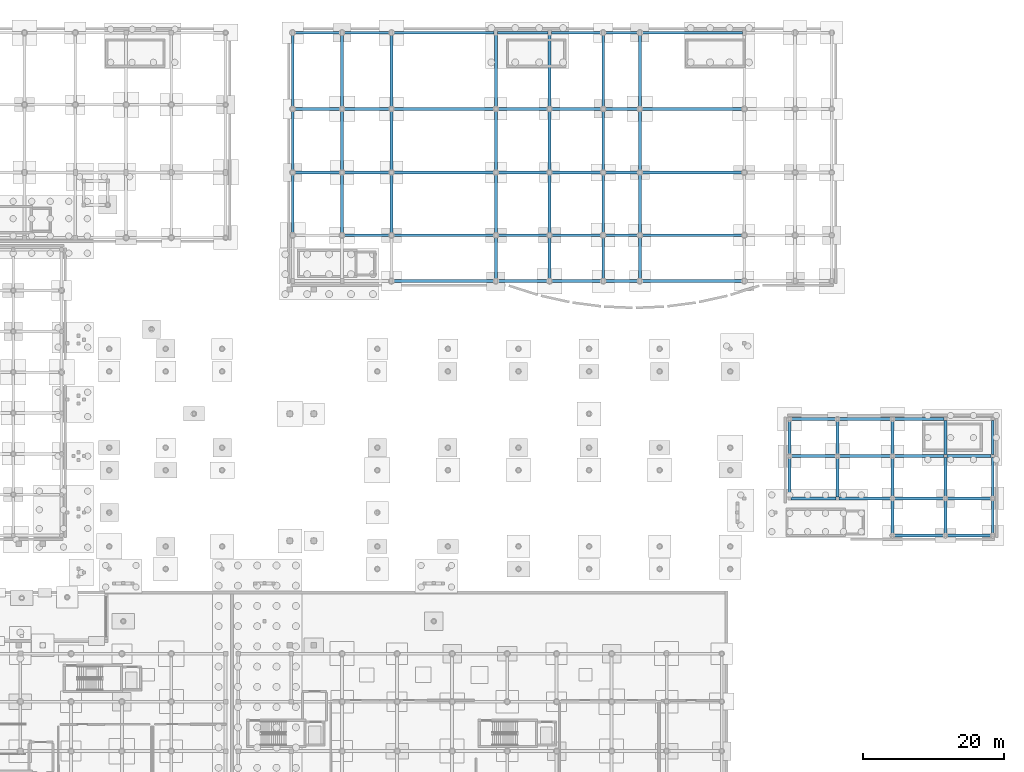
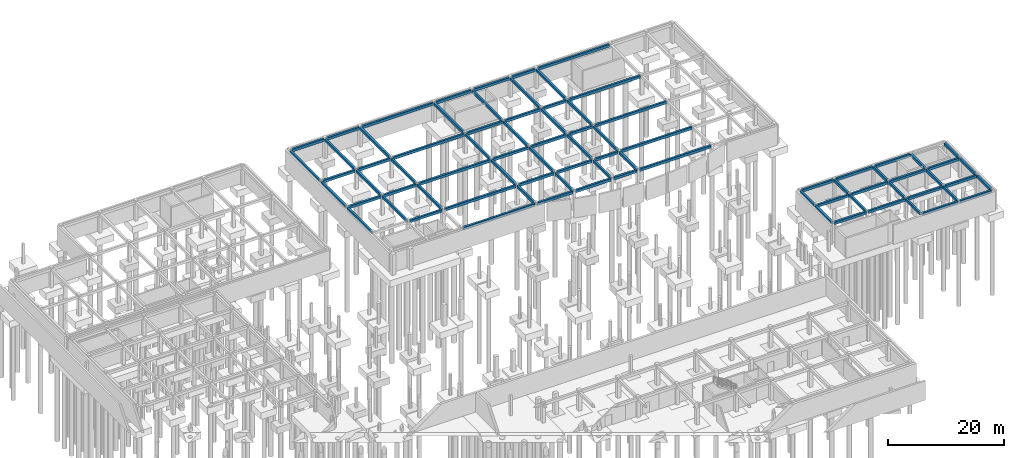
# One storey, part 13 of 22: 83 beams.
"""IFC4 building model written with IfcOpenShell, lengths in metres."""

from ifc_helpers import new_model, si_unit, direction, frame, origin, origin_2d, place, context, subcontext, project, spatial, rectangle, extrude, material, material_profile, profile_set, type_object, element, save


model = new_model("IFC4")

# Units and contexts
model_context = context("Model", 3, precision=1e-05, world=origin(), true_north=direction((0.0, 1.0)))
body_context = subcontext(model_context, "Body", "Model", "MODEL_VIEW")
ifc_project = project(units=[si_unit("LENGTHUNIT", "METRE"), si_unit("AREAUNIT", "SQUARE_METRE"), si_unit("VOLUMEUNIT", "CUBIC_METRE"), si_unit("PLANEANGLEUNIT", "RADIAN"), si_unit("MASSUNIT", "GRAM", prefix="KILO")], contexts=[model_context])

# Site, building, storey
site_placement = place(None, origin())
site = spatial("IfcSite", under=ifc_project, at=site_placement, CompositionType="ELEMENT")
building_placement = place(site_placement, origin())
building = spatial("IfcBuilding", under=site, at=building_placement, Name="Valcora Specialist Clinic", CompositionType="ELEMENT")
storey_placement = place(building_placement, frame((0.0, 0.0, -4.419921875)))
storey = spatial("IfcBuildingStorey", under=building, at=storey_placement, Name="B1", CompositionType="ELEMENT", Elevation=-4.419921875)

# Beams
ifc_material = material(Name="Concrete C35/45", Category="concrete")
ifc_material_profile = material_profile(ifc_material, rectangle(XDim=0.39990234375, YDim=0.550048828125, at=origin_2d()), Name="RC-TB-400X550")
ifc_profile_set = profile_set([ifc_material_profile], Name="Concrete C35/45")
beam_type = type_object("IfcBeamType", Name="TY-BM-TB400X550", PredefinedType="BEAM", material=ifc_profile_set)
beam_1_placement = place(storey_placement, frame((147.22509765625, 38.75, 3.885009765625), z_axis=(1.0, 0.0, 0.0), x_axis=(0.0, 1.0, 0.0)))
element("IfcBeam", 1, at=beam_1_placement, inside=storey, type_object=beam_type, Name="Beam BM-B1-0372", PredefinedType="BEAM", context=body_context, shape_type="SweptSolid", body=[
    extrude(rectangle(XDim=0.39990234375, YDim=0.550048828125, at=origin_2d()), origin(), (0.0, 0.0, 1.0), 7.0498046875),
])
beam_2_placement = place(storey_placement, frame((154.72509765625, 38.75, 3.885009765625), z_axis=(1.0, 0.0, 0.0), x_axis=(0.0, 1.0, 0.0)))
element("IfcBeam", 2, at=beam_2_placement, inside=storey, type_object=beam_type, Name="Beam BM-B1-0373", PredefinedType="BEAM", context=body_context, shape_type="SweptSolid", body=[
    extrude(rectangle(XDim=0.39990234375, YDim=0.550048828125, at=origin_2d()), origin(), (0.0, 0.0, 1.0), 6.25),
])
beam_3_placement = place(storey_placement, frame((132.625, 44.0, 3.885009765625), z_axis=(1.0, 0.0, 0.0), x_axis=(0.0, 1.0, 0.0)))
element("IfcBeam", 3, at=beam_3_placement, inside=storey, type_object=beam_type, Name="Beam BM-B1-0374", PredefinedType="BEAM", context=body_context, shape_type="SweptSolid", body=[
    extrude(rectangle(XDim=0.39990234375, YDim=0.550048828125, at=origin_2d()), origin(), (0.0, 0.0, 1.0), 6.35009765625),
])
beam_4_placement = place(storey_placement, frame((139.425048828125, 44.0, 3.885009765625), z_axis=(1.0, 0.0, 0.0), x_axis=(0.0, 1.0, 0.0)))
element("IfcBeam", 4, at=beam_4_placement, inside=storey, type_object=beam_type, Name="Beam BM-B1-0375", PredefinedType="BEAM", context=body_context, shape_type="SweptSolid", body=[
    extrude(rectangle(XDim=0.39990234375, YDim=0.550048828125, at=origin_2d()), origin(), (0.0, 0.0, 1.0), 7.349853515625),
])
beam_5_placement = place(storey_placement, frame((147.22509765625, 44.0, 3.885009765625), z_axis=(1.0, 0.0, 0.0), x_axis=(0.0, 1.0, 0.0)))
element("IfcBeam", 5, at=beam_5_placement, inside=storey, type_object=beam_type, Name="Beam BM-B1-0376", PredefinedType="BEAM", context=body_context, shape_type="SweptSolid", body=[
    extrude(rectangle(XDim=0.39990234375, YDim=0.550048828125, at=origin_2d()), origin(), (0.0, 0.0, 1.0), 7.0498046875),
])
beam_6_placement = place(storey_placement, frame((154.72509765625, 44.0, 3.885009765625), z_axis=(1.0, 0.0, 0.0), x_axis=(0.0, 1.0, 0.0)))
element("IfcBeam", 6, at=beam_6_placement, inside=storey, type_object=beam_type, Name="Beam BM-B1-0377", PredefinedType="BEAM", context=body_context, shape_type="SweptSolid", body=[
    extrude(rectangle(XDim=0.39990234375, YDim=0.550048828125, at=origin_2d()), origin(), (0.0, 0.0, 1.0), 6.25),
])
beam_7_placement = place(storey_placement, frame((132.625, 50.0, 3.885009765625), z_axis=(1.0, 0.0, 0.0), x_axis=(0.0, 1.0, 0.0)))
element("IfcBeam", 7, at=beam_7_placement, inside=storey, type_object=beam_type, Name="Beam BM-B1-0378", PredefinedType="BEAM", context=body_context, shape_type="SweptSolid", body=[
    extrude(rectangle(XDim=0.39990234375, YDim=0.550048828125, at=origin_2d()), origin(), (0.0, 0.0, 1.0), 6.35009765625),
])
beam_8_placement = place(storey_placement, frame((139.425048828125, 50.0, 3.885009765625), z_axis=(1.0, 0.0, 0.0), x_axis=(0.0, 1.0, 0.0)))
element("IfcBeam", 8, at=beam_8_placement, inside=storey, type_object=beam_type, Name="Beam BM-B1-0379", PredefinedType="BEAM", context=body_context, shape_type="SweptSolid", body=[
    extrude(rectangle(XDim=0.39990234375, YDim=0.550048828125, at=origin_2d()), origin(), (0.0, 0.0, 1.0), 7.349853515625),
])
beam_9_placement = place(storey_placement, frame((147.22509765625, 50.0, 3.885009765625), z_axis=(1.0, 0.0, 0.0), x_axis=(0.0, 1.0, 0.0)))
element("IfcBeam", 9, at=beam_9_placement, inside=storey, type_object=beam_type, Name="Beam BM-B1-0380", PredefinedType="BEAM", context=body_context, shape_type="SweptSolid", body=[
    extrude(rectangle(XDim=0.39990234375, YDim=0.550048828125, at=origin_2d()), origin(), (0.0, 0.0, 1.0), 7.0498046875),
])
beam_10_placement = place(storey_placement, frame((154.72509765625, 50.0, 3.885009765625), z_axis=(1.0, 0.0, 0.0), x_axis=(0.0, 1.0, 0.0)))
element("IfcBeam", 10, at=beam_10_placement, inside=storey, type_object=beam_type, Name="Beam BM-B1-0381", PredefinedType="BEAM", context=body_context, shape_type="SweptSolid", body=[
    extrude(rectangle(XDim=0.39990234375, YDim=0.550048828125, at=origin_2d()), origin(), (0.0, 0.0, 1.0), 6.25),
])
beam_11_placement = place(storey_placement, frame((132.625, 55.25, 3.885009765625), z_axis=(1.0, 0.0, 0.0), x_axis=(0.0, 1.0, 0.0)))
element("IfcBeam", 11, at=beam_11_placement, inside=storey, type_object=beam_type, Name="Beam BM-B1-0382", PredefinedType="BEAM", context=body_context, shape_type="SweptSolid", body=[
    extrude(rectangle(XDim=0.39990234375, YDim=0.550048828125, at=origin_2d()), origin(), (0.0, 0.0, 1.0), 6.35009765625),
])
beam_12_placement = place(storey_placement, frame((139.425048828125, 55.25, 3.885009765625), z_axis=(1.0, 0.0, 0.0), x_axis=(0.0, 1.0, 0.0)))
element("IfcBeam", 12, at=beam_12_placement, inside=storey, type_object=beam_type, Name="Beam BM-B1-0383", PredefinedType="BEAM", context=body_context, shape_type="SweptSolid", body=[
    extrude(rectangle(XDim=0.39990234375, YDim=0.550048828125, at=origin_2d()), origin(), (0.0, 0.0, 1.0), 7.349853515625),
])
beam_13_placement = place(storey_placement, frame((147.22509765625, 55.25, 3.885009765625), z_axis=(1.0, 0.0, 0.0), x_axis=(0.0, 1.0, 0.0)))
element("IfcBeam", 13, at=beam_13_placement, inside=storey, type_object=beam_type, Name="Beam BM-B1-0384", PredefinedType="BEAM", context=body_context, shape_type="SweptSolid", body=[
    extrude(rectangle(XDim=0.39990234375, YDim=0.550048828125, at=origin_2d()), origin(), (0.0, 0.0, 1.0), 7.0498046875),
])
beam_14_placement = place(storey_placement, frame((132.39990234375, 44.22509765625, 3.885009765625), z_axis=(0.0, 1.0, 0.0), x_axis=(-1.0, 0.0, 0.0)))
element("IfcBeam", 14, at=beam_14_placement, inside=storey, type_object=beam_type, Name="Beam BM-B1-0386", PredefinedType="BEAM", context=body_context, shape_type="SweptSolid", body=[
    extrude(rectangle(XDim=0.39990234375, YDim=0.550048828125, at=origin_2d()), origin(), (0.0, 0.0, 1.0), 5.5498046875),
])
beam_15_placement = place(storey_placement, frame((132.39990234375, 50.22509765625, 3.885009765625), z_axis=(0.0, 1.0, 0.0), x_axis=(-1.0, 0.0, 0.0)))
element("IfcBeam", 15, at=beam_15_placement, inside=storey, type_object=beam_type, Name="Beam BM-B1-0387", PredefinedType="BEAM", context=body_context, shape_type="SweptSolid", body=[
    extrude(rectangle(XDim=0.39990234375, YDim=0.550048828125, at=origin_2d()), origin(), (0.0, 0.0, 1.0), 4.7998046875),
])
beam_16_placement = place(storey_placement, frame((139.199951171875, 44.22509765625, 3.885009765625), z_axis=(0.0, 1.0, 0.0), x_axis=(-1.0, 0.0, 0.0)))
element("IfcBeam", 16, at=beam_16_placement, inside=storey, type_object=beam_type, Name="Beam BM-B1-0388", PredefinedType="BEAM", context=body_context, shape_type="SweptSolid", body=[
    extrude(rectangle(XDim=0.39990234375, YDim=0.550048828125, at=origin_2d()), origin(), (0.0, 0.0, 1.0), 5.5498046875),
])
for number, where, z_axis, x_axis, name in (
    (17, (139.199951171875, 50.22509765625, 3.885009765625), (0.0, 1.0, 0.0), (-1.0, 0.0, 0.0), "Beam BM-B1-0389"),
    (18, (147.0, 38.97509765625, 3.885009765625), (0.0, 1.0, 0.0), (-1.0, 0.0, 0.0), "Beam BM-B1-0390"),
):
    element("IfcBeam", number, at=place(storey_placement, frame(where, z_axis=z_axis, x_axis=x_axis)), inside=storey, type_object=beam_type, Name=name, PredefinedType="BEAM", context=body_context, shape_type="SweptSolid", body=[
        extrude(rectangle(XDim=0.39990234375, YDim=0.550048828125, at=origin_2d()), origin(), (0.0, 0.0, 1.0), 4.7998046875),
    ])
beam_17_placement = place(storey_placement, frame((147.0, 44.22509765625, 3.885009765625), z_axis=(0.0, 1.0, 0.0), x_axis=(-1.0, 0.0, 0.0)))
element("IfcBeam", 19, at=beam_17_placement, inside=storey, type_object=beam_type, Name="Beam BM-B1-0391", PredefinedType="BEAM", context=body_context, shape_type="SweptSolid", body=[
    extrude(rectangle(XDim=0.39990234375, YDim=0.550048828125, at=origin_2d()), origin(), (0.0, 0.0, 1.0), 5.5498046875),
])
for number, where, z_axis, x_axis, name in (
    (20, (147.0, 50.22509765625, 3.885009765625), (0.0, 1.0, 0.0), (-1.0, 0.0, 0.0), "Beam BM-B1-0392"),
    (21, (154.5, 38.97509765625, 3.885009765625), (0.0, 1.0, 0.0), (-1.0, 0.0, 0.0), "Beam BM-B1-0393"),
):
    element("IfcBeam", number, at=place(storey_placement, frame(where, z_axis=z_axis, x_axis=x_axis)), inside=storey, type_object=beam_type, Name=name, PredefinedType="BEAM", context=body_context, shape_type="SweptSolid", body=[
        extrude(rectangle(XDim=0.39990234375, YDim=0.550048828125, at=origin_2d()), origin(), (0.0, 0.0, 1.0), 4.7998046875),
    ])
beam_18_placement = place(storey_placement, frame((154.5, 44.22509765625, 3.885009765625), z_axis=(0.0, 1.0, 0.0), x_axis=(-1.0, 0.0, 0.0)))
element("IfcBeam", 22, at=beam_18_placement, inside=storey, type_object=beam_type, Name="Beam BM-B1-0394", PredefinedType="BEAM", context=body_context, shape_type="SweptSolid", body=[
    extrude(rectangle(XDim=0.39990234375, YDim=0.550048828125, at=origin_2d()), origin(), (0.0, 0.0, 1.0), 5.5498046875),
])
for number, where, z_axis, x_axis, name in (
    (23, (154.5, 50.22509765625, 3.885009765625), (0.0, 1.0, 0.0), (-1.0, 0.0, 0.0), "Beam BM-B1-0395"),
    (24, (161.199951171875, 38.97509765625, 3.885009765625), (0.0, 1.0, 0.0), (-1.0, 0.0, 0.0), "Beam BM-B1-0396"),
):
    element("IfcBeam", number, at=place(storey_placement, frame(where, z_axis=z_axis, x_axis=x_axis)), inside=storey, type_object=beam_type, Name=name, PredefinedType="BEAM", context=body_context, shape_type="SweptSolid", body=[
        extrude(rectangle(XDim=0.39990234375, YDim=0.550048828125, at=origin_2d()), origin(), (0.0, 0.0, 1.0), 4.7998046875),
    ])
beam_19_placement = place(storey_placement, frame((161.199951171875, 44.22509765625, 3.885009765625), z_axis=(0.0, 1.0, 0.0), x_axis=(-1.0, 0.0, 0.0)))
element("IfcBeam", 25, at=beam_19_placement, inside=storey, type_object=beam_type, Name="Beam BM-B1-0397", PredefinedType="BEAM", context=body_context, shape_type="SweptSolid", body=[
    extrude(rectangle(XDim=0.39990234375, YDim=0.550048828125, at=origin_2d()), origin(), (0.0, 0.0, 1.0), 5.5498046875),
])
beam_20_placement = place(storey_placement, frame((161.199951171875, 50.22509765625, 3.885009765625), z_axis=(0.0, 1.0, 0.0), x_axis=(-1.0, 0.0, 0.0)))
element("IfcBeam", 26, at=beam_20_placement, inside=storey, type_object=beam_type, Name="Beam BM-B1-0398", PredefinedType="BEAM", context=body_context, shape_type="SweptSolid", body=[
    extrude(rectangle(XDim=0.39990234375, YDim=0.550048828125, at=origin_2d()), origin(), (0.0, 0.0, 1.0), 4.7998046875),
])
beam_21_placement = place(storey_placement, frame((76.25, 74.800048828125, 3.844970703125), z_axis=(1.0, 0.0, 0.0), x_axis=(0.0, 1.0, 0.0)))
element("IfcBeam", 27, at=beam_21_placement, inside=storey, type_object=beam_type, Name="Beam BM-B1-0448", PredefinedType="BEAM", context=body_context, shape_type="SweptSolid", body=[
    extrude(rectangle(XDim=0.39990234375, YDim=0.550048828125, at=origin_2d()), origin(), (0.0, 0.0, 1.0), 14.300048828125),
])
beam_22_placement = place(storey_placement, frame((91.050048828125, 74.800048828125, 3.844970703125), z_axis=(1.0, 0.0, 0.0), x_axis=(0.0, 1.0, 0.0)))
element("IfcBeam", 28, at=beam_22_placement, inside=storey, type_object=beam_type, Name="Beam BM-B1-0449", PredefinedType="BEAM", context=body_context, shape_type="SweptSolid", body=[
    extrude(rectangle(XDim=0.39990234375, YDim=0.550048828125, at=origin_2d()), origin(), (0.0, 0.0, 1.0), 7.099853515625),
])
beam_23_placement = place(storey_placement, frame((98.64990234375, 74.800048828125, 3.844970703125), z_axis=(1.0, 0.0, 0.0), x_axis=(0.0, 1.0, 0.0)))
element("IfcBeam", 29, at=beam_23_placement, inside=storey, type_object=beam_type, Name="Beam BM-B1-0450", PredefinedType="BEAM", context=body_context, shape_type="SweptSolid", body=[
    extrude(rectangle(XDim=0.39990234375, YDim=0.550048828125, at=origin_2d()), origin(), (0.0, 0.0, 1.0), 7.10009765625),
])
beam_24_placement = place(storey_placement, frame((106.25, 74.800048828125, 3.844970703125), z_axis=(1.0, 0.0, 0.0), x_axis=(0.0, 1.0, 0.0)))
element("IfcBeam", 30, at=beam_24_placement, inside=storey, type_object=beam_type, Name="Beam BM-B1-0451", PredefinedType="BEAM", context=body_context, shape_type="SweptSolid", body=[
    extrude(rectangle(XDim=0.39990234375, YDim=0.550048828125, at=origin_2d()), origin(), (0.0, 0.0, 1.0), 4.699951171875),
])
beam_25_placement = place(storey_placement, frame((111.449951171875, 74.800048828125, 3.844970703125), z_axis=(1.0, 0.0, 0.0), x_axis=(0.0, 1.0, 0.0)))
element("IfcBeam", 31, at=beam_25_placement, inside=storey, type_object=beam_type, Name="Beam BM-B1-0452", PredefinedType="BEAM", context=body_context, shape_type="SweptSolid", body=[
    extrude(rectangle(XDim=0.39990234375, YDim=0.550048828125, at=origin_2d()), origin(), (0.0, 0.0, 1.0), 14.300048828125),
])
beam_26_placement = place(storey_placement, frame((69.300048828125, 81.300048828125, 3.844970703125), z_axis=(1.0, 0.0, 0.0), x_axis=(0.0, 1.0, 0.0)))
element("IfcBeam", 32, at=beam_26_placement, inside=storey, type_object=beam_type, Name="Beam BM-B1-0456", PredefinedType="BEAM", context=body_context, shape_type="SweptSolid", body=[
    extrude(rectangle(XDim=0.39990234375, YDim=0.550048828125, at=origin_2d()), origin(), (0.0, 0.0, 1.0), 6.39990234375),
])
beam_27_placement = place(storey_placement, frame((76.300048828125, 81.300048828125, 3.844970703125), z_axis=(1.0, 0.0, 0.0), x_axis=(0.0, 1.0, 0.0)))
element("IfcBeam", 33, at=beam_27_placement, inside=storey, type_object=beam_type, Name="Beam BM-B1-0457", PredefinedType="BEAM", context=body_context, shape_type="SweptSolid", body=[
    extrude(rectangle(XDim=0.39990234375, YDim=0.550048828125, at=origin_2d()), origin(), (0.0, 0.0, 1.0), 14.199951171875),
])
for number, where, z_axis, x_axis, name in (
    (34, (91.10009765625, 81.300048828125, 3.844970703125), (1.0, 0.0, 0.0), (0.0, 1.0, 0.0), "Beam BM-B1-0458"),
    (35, (98.699951171875, 81.300048828125, 3.844970703125), (1.0, 0.0, 0.0), (0.0, 1.0, 0.0), "Beam BM-B1-0459"),
):
    element("IfcBeam", number, at=place(storey_placement, frame(where, z_axis=z_axis, x_axis=x_axis)), inside=storey, type_object=beam_type, Name=name, PredefinedType="BEAM", context=body_context, shape_type="SweptSolid", body=[
        extrude(rectangle(XDim=0.39990234375, YDim=0.550048828125, at=origin_2d()), origin(), (0.0, 0.0, 1.0), 7.0),
    ])
beam_28_placement = place(storey_placement, frame((106.300048828125, 81.300048828125, 3.844970703125), z_axis=(1.0, 0.0, 0.0), x_axis=(0.0, 1.0, 0.0)))
element("IfcBeam", 36, at=beam_28_placement, inside=storey, type_object=beam_type, Name="Beam BM-B1-0460", PredefinedType="BEAM", context=body_context, shape_type="SweptSolid", body=[
    extrude(rectangle(XDim=0.39990234375, YDim=0.550048828125, at=origin_2d()), origin(), (0.0, 0.0, 1.0), 4.599853515625),
])
beam_29_placement = place(storey_placement, frame((111.5, 81.300048828125, 3.844970703125), z_axis=(1.0, 0.0, 0.0), x_axis=(0.0, 1.0, 0.0)))
element("IfcBeam", 37, at=beam_29_placement, inside=storey, type_object=beam_type, Name="Beam BM-B1-0461", PredefinedType="BEAM", context=body_context, shape_type="SweptSolid", body=[
    extrude(rectangle(XDim=0.39990234375, YDim=0.550048828125, at=origin_2d()), origin(), (0.0, 0.0, 1.0), 14.199951171875),
])
for number, where, z_axis, x_axis, name in (
    (38, (62.300048828125, 90.199951171875, 3.844970703125), (1.0, 0.0, 0.0), (0.0, 1.0, 0.0), "Beam BM-B1-0464"),
    (39, (69.300048828125, 90.199951171875, 3.844970703125), (1.0, 0.0, 0.0), (0.0, 1.0, 0.0), "Beam BM-B1-0465"),
):
    element("IfcBeam", number, at=place(storey_placement, frame(where, z_axis=z_axis, x_axis=x_axis)), inside=storey, type_object=beam_type, Name=name, PredefinedType="BEAM", context=body_context, shape_type="SweptSolid", body=[
        extrude(rectangle(XDim=0.39990234375, YDim=0.550048828125, at=origin_2d()), origin(), (0.0, 0.0, 1.0), 6.39990234375),
    ])
beam_30_placement = place(storey_placement, frame((76.300048828125, 90.199951171875, 3.844970703125), z_axis=(1.0, 0.0, 0.0), x_axis=(0.0, 1.0, 0.0)))
element("IfcBeam", 40, at=beam_30_placement, inside=storey, type_object=beam_type, Name="Beam BM-B1-0466", PredefinedType="BEAM", context=body_context, shape_type="SweptSolid", body=[
    extrude(rectangle(XDim=0.39990234375, YDim=0.550048828125, at=origin_2d()), origin(), (0.0, 0.0, 1.0), 14.199951171875),
])
for number, where, z_axis, x_axis, name in (
    (41, (91.10009765625, 90.199951171875, 3.844970703125), (1.0, 0.0, 0.0), (0.0, 1.0, 0.0), "Beam BM-B1-0467"),
    (42, (98.699951171875, 90.199951171875, 3.844970703125), (1.0, 0.0, 0.0), (0.0, 1.0, 0.0), "Beam BM-B1-0468"),
):
    element("IfcBeam", number, at=place(storey_placement, frame(where, z_axis=z_axis, x_axis=x_axis)), inside=storey, type_object=beam_type, Name=name, PredefinedType="BEAM", context=body_context, shape_type="SweptSolid", body=[
        extrude(rectangle(XDim=0.39990234375, YDim=0.550048828125, at=origin_2d()), origin(), (0.0, 0.0, 1.0), 7.0),
    ])
beam_31_placement = place(storey_placement, frame((106.300048828125, 90.199951171875, 3.844970703125), z_axis=(1.0, 0.0, 0.0), x_axis=(0.0, 1.0, 0.0)))
element("IfcBeam", 43, at=beam_31_placement, inside=storey, type_object=beam_type, Name="Beam BM-B1-0469", PredefinedType="BEAM", context=body_context, shape_type="SweptSolid", body=[
    extrude(rectangle(XDim=0.39990234375, YDim=0.550048828125, at=origin_2d()), origin(), (0.0, 0.0, 1.0), 4.599853515625),
])
beam_32_placement = place(storey_placement, frame((111.5, 90.199951171875, 3.844970703125), z_axis=(1.0, 0.0, 0.0), x_axis=(0.0, 1.0, 0.0)))
element("IfcBeam", 44, at=beam_32_placement, inside=storey, type_object=beam_type, Name="Beam BM-B1-0470", PredefinedType="BEAM", context=body_context, shape_type="SweptSolid", body=[
    extrude(rectangle(XDim=0.39990234375, YDim=0.550048828125, at=origin_2d()), origin(), (0.0, 0.0, 1.0), 14.199951171875),
])
for number, where, z_axis, x_axis, name in (
    (45, (62.300048828125, 99.199951171875, 3.844970703125), (1.0, 0.0, 0.0), (0.0, 1.0, 0.0), "Beam BM-B1-0473"),
    (46, (69.300048828125, 99.199951171875, 3.844970703125), (1.0, 0.0, 0.0), (0.0, 1.0, 0.0), "Beam BM-B1-0474"),
):
    element("IfcBeam", number, at=place(storey_placement, frame(where, z_axis=z_axis, x_axis=x_axis)), inside=storey, type_object=beam_type, Name=name, PredefinedType="BEAM", context=body_context, shape_type="SweptSolid", body=[
        extrude(rectangle(XDim=0.39990234375, YDim=0.550048828125, at=origin_2d()), origin(), (0.0, 0.0, 1.0), 6.39990234375),
    ])
beam_33_placement = place(storey_placement, frame((76.300048828125, 99.199951171875, 3.844970703125), z_axis=(1.0, 0.0, 0.0), x_axis=(0.0, 1.0, 0.0)))
element("IfcBeam", 47, at=beam_33_placement, inside=storey, type_object=beam_type, Name="Beam BM-B1-0475", PredefinedType="BEAM", context=body_context, shape_type="SweptSolid", body=[
    extrude(rectangle(XDim=0.39990234375, YDim=0.550048828125, at=origin_2d()), origin(), (0.0, 0.0, 1.0), 14.199951171875),
])
for number, where, z_axis, x_axis, name in (
    (48, (91.10009765625, 99.199951171875, 3.844970703125), (1.0, 0.0, 0.0), (0.0, 1.0, 0.0), "Beam BM-B1-0476"),
    (49, (98.699951171875, 99.199951171875, 3.844970703125), (1.0, 0.0, 0.0), (0.0, 1.0, 0.0), "Beam BM-B1-0477"),
):
    element("IfcBeam", number, at=place(storey_placement, frame(where, z_axis=z_axis, x_axis=x_axis)), inside=storey, type_object=beam_type, Name=name, PredefinedType="BEAM", context=body_context, shape_type="SweptSolid", body=[
        extrude(rectangle(XDim=0.39990234375, YDim=0.550048828125, at=origin_2d()), origin(), (0.0, 0.0, 1.0), 7.0),
    ])
beam_34_placement = place(storey_placement, frame((106.300048828125, 99.199951171875, 3.844970703125), z_axis=(1.0, 0.0, 0.0), x_axis=(0.0, 1.0, 0.0)))
element("IfcBeam", 50, at=beam_34_placement, inside=storey, type_object=beam_type, Name="Beam BM-B1-0478", PredefinedType="BEAM", context=body_context, shape_type="SweptSolid", body=[
    extrude(rectangle(XDim=0.39990234375, YDim=0.550048828125, at=origin_2d()), origin(), (0.0, 0.0, 1.0), 4.599853515625),
])
beam_35_placement = place(storey_placement, frame((111.5, 99.199951171875, 3.844970703125), z_axis=(1.0, 0.0, 0.0), x_axis=(0.0, 1.0, 0.0)))
element("IfcBeam", 51, at=beam_35_placement, inside=storey, type_object=beam_type, Name="Beam BM-B1-0479", PredefinedType="BEAM", context=body_context, shape_type="SweptSolid", body=[
    extrude(rectangle(XDim=0.39990234375, YDim=0.550048828125, at=origin_2d()), origin(), (0.0, 0.0, 1.0), 14.199951171875),
])
for number, where, z_axis, x_axis, name in (
    (52, (62.25, 110.0, 3.844970703125), (1.0, 0.0, 0.0), (0.0, 1.0, 0.0), "Beam BM-B1-0482"),
    (53, (69.25, 110.0, 3.844970703125), (1.0, 0.0, 0.0), (0.0, 1.0, 0.0), "Beam BM-B1-0483"),
):
    element("IfcBeam", number, at=place(storey_placement, frame(where, z_axis=z_axis, x_axis=x_axis)), inside=storey, type_object=beam_type, Name=name, PredefinedType="BEAM", context=body_context, shape_type="SweptSolid", body=[
        extrude(rectangle(XDim=0.39990234375, YDim=0.550048828125, at=origin_2d()), origin(), (0.0, 0.0, 1.0), 6.5),
    ])
beam_36_placement = place(storey_placement, frame((76.25, 110.0, 3.844970703125), z_axis=(1.0, 0.0, 0.0), x_axis=(0.0, 1.0, 0.0)))
element("IfcBeam", 54, at=beam_36_placement, inside=storey, type_object=beam_type, Name="Beam BM-B1-0484", PredefinedType="BEAM", context=body_context, shape_type="SweptSolid", body=[
    extrude(rectangle(XDim=0.39990234375, YDim=0.550048828125, at=origin_2d()), origin(), (0.0, 0.0, 1.0), 14.300048828125),
])
beam_37_placement = place(storey_placement, frame((91.050048828125, 110.0, 3.844970703125), z_axis=(1.0, 0.0, 0.0), x_axis=(0.0, 1.0, 0.0)))
element("IfcBeam", 55, at=beam_37_placement, inside=storey, type_object=beam_type, Name="Beam BM-B1-0485", PredefinedType="BEAM", context=body_context, shape_type="SweptSolid", body=[
    extrude(rectangle(XDim=0.39990234375, YDim=0.550048828125, at=origin_2d()), origin(), (0.0, 0.0, 1.0), 7.099853515625),
])
beam_38_placement = place(storey_placement, frame((98.64990234375, 110.0, 3.844970703125), z_axis=(1.0, 0.0, 0.0), x_axis=(0.0, 1.0, 0.0)))
element("IfcBeam", 56, at=beam_38_placement, inside=storey, type_object=beam_type, Name="Beam BM-B1-0486", PredefinedType="BEAM", context=body_context, shape_type="SweptSolid", body=[
    extrude(rectangle(XDim=0.39990234375, YDim=0.550048828125, at=origin_2d()), origin(), (0.0, 0.0, 1.0), 7.10009765625),
])
beam_39_placement = place(storey_placement, frame((106.25, 110.0, 3.844970703125), z_axis=(1.0, 0.0, 0.0), x_axis=(0.0, 1.0, 0.0)))
element("IfcBeam", 57, at=beam_39_placement, inside=storey, type_object=beam_type, Name="Beam BM-B1-0487", PredefinedType="BEAM", context=body_context, shape_type="SweptSolid", body=[
    extrude(rectangle(XDim=0.39990234375, YDim=0.550048828125, at=origin_2d()), origin(), (0.0, 0.0, 1.0), 4.699951171875),
])
beam_40_placement = place(storey_placement, frame((111.449951171875, 110.0, 3.844970703125), z_axis=(1.0, 0.0, 0.0), x_axis=(0.0, 1.0, 0.0)))
element("IfcBeam", 58, at=beam_40_placement, inside=storey, type_object=beam_type, Name="Beam BM-B1-0488", PredefinedType="BEAM", context=body_context, shape_type="SweptSolid", body=[
    extrude(rectangle(XDim=0.39990234375, YDim=0.550048828125, at=origin_2d()), origin(), (0.0, 0.0, 1.0), 14.300048828125),
])
beam_41_placement = place(storey_placement, frame((62.0, 81.60009765625, 3.844970703125), z_axis=(0.0, 1.0, 0.0), x_axis=(-1.0, 0.0, 0.0)))
element("IfcBeam", 59, at=beam_41_placement, inside=storey, type_object=beam_type, Name="Beam BM-B1-0492", PredefinedType="BEAM", context=body_context, shape_type="SweptSolid", body=[
    extrude(rectangle(XDim=0.39990234375, YDim=0.550048828125, at=origin_2d()), origin(), (0.0, 0.0, 1.0), 8.2998046875),
])
beam_42_placement = place(storey_placement, frame((62.0, 90.5, 3.844970703125), z_axis=(0.0, 1.0, 0.0), x_axis=(-1.0, 0.0, 0.0)))
element("IfcBeam", 60, at=beam_42_placement, inside=storey, type_object=beam_type, Name="Beam BM-B1-0493", PredefinedType="BEAM", context=body_context, shape_type="SweptSolid", body=[
    extrude(rectangle(XDim=0.39990234375, YDim=0.550048828125, at=origin_2d()), origin(), (0.0, 0.0, 1.0), 8.39990234375),
])
beam_43_placement = place(storey_placement, frame((62.0, 99.5, 3.844970703125), z_axis=(0.0, 1.0, 0.0), x_axis=(-1.0, 0.0, 0.0)))
element("IfcBeam", 61, at=beam_43_placement, inside=storey, type_object=beam_type, Name="Beam BM-B1-0494", PredefinedType="BEAM", context=body_context, shape_type="SweptSolid", body=[
    extrude(rectangle(XDim=0.39990234375, YDim=0.550048828125, at=origin_2d()), origin(), (0.0, 0.0, 1.0), 10.25),
])
beam_44_placement = place(storey_placement, frame((69.0, 81.60009765625, 3.844970703125), z_axis=(0.0, 1.0, 0.0), x_axis=(-1.0, 0.0, 0.0)))
element("IfcBeam", 62, at=beam_44_placement, inside=storey, type_object=beam_type, Name="Beam BM-B1-0496", PredefinedType="BEAM", context=body_context, shape_type="SweptSolid", body=[
    extrude(rectangle(XDim=0.39990234375, YDim=0.550048828125, at=origin_2d()), origin(), (0.0, 0.0, 1.0), 8.2998046875),
])
beam_45_placement = place(storey_placement, frame((69.0, 90.5, 3.844970703125), z_axis=(0.0, 1.0, 0.0), x_axis=(-1.0, 0.0, 0.0)))
element("IfcBeam", 63, at=beam_45_placement, inside=storey, type_object=beam_type, Name="Beam BM-B1-0497", PredefinedType="BEAM", context=body_context, shape_type="SweptSolid", body=[
    extrude(rectangle(XDim=0.39990234375, YDim=0.550048828125, at=origin_2d()), origin(), (0.0, 0.0, 1.0), 8.39990234375),
])
beam_46_placement = place(storey_placement, frame((69.0, 99.5, 3.844970703125), z_axis=(0.0, 1.0, 0.0), x_axis=(-1.0, 0.0, 0.0)))
element("IfcBeam", 64, at=beam_46_placement, inside=storey, type_object=beam_type, Name="Beam BM-B1-0498", PredefinedType="BEAM", context=body_context, shape_type="SweptSolid", body=[
    extrude(rectangle(XDim=0.39990234375, YDim=0.550048828125, at=origin_2d()), origin(), (0.0, 0.0, 1.0), 10.25),
])
beam_47_placement = place(storey_placement, frame((76.0, 81.60009765625, 3.844970703125), z_axis=(0.0, 1.0, 0.0), x_axis=(-1.0, 0.0, 0.0)))
element("IfcBeam", 65, at=beam_47_placement, inside=storey, type_object=beam_type, Name="Beam BM-B1-0500", PredefinedType="BEAM", context=body_context, shape_type="SweptSolid", body=[
    extrude(rectangle(XDim=0.39990234375, YDim=0.550048828125, at=origin_2d()), origin(), (0.0, 0.0, 1.0), 8.2998046875),
])
beam_48_placement = place(storey_placement, frame((76.0, 90.5, 3.844970703125), z_axis=(0.0, 1.0, 0.0), x_axis=(-1.0, 0.0, 0.0)))
element("IfcBeam", 66, at=beam_48_placement, inside=storey, type_object=beam_type, Name="Beam BM-B1-0501", PredefinedType="BEAM", context=body_context, shape_type="SweptSolid", body=[
    extrude(rectangle(XDim=0.39990234375, YDim=0.550048828125, at=origin_2d()), origin(), (0.0, 0.0, 1.0), 8.39990234375),
])
beam_49_placement = place(storey_placement, frame((76.0, 99.5, 3.844970703125), z_axis=(0.0, 1.0, 0.0), x_axis=(-1.0, 0.0, 0.0)))
element("IfcBeam", 67, at=beam_49_placement, inside=storey, type_object=beam_type, Name="Beam BM-B1-0502", PredefinedType="BEAM", context=body_context, shape_type="SweptSolid", body=[
    extrude(rectangle(XDim=0.39990234375, YDim=0.550048828125, at=origin_2d()), origin(), (0.0, 0.0, 1.0), 10.25),
])
beam_50_placement = place(storey_placement, frame((90.800048828125, 75.050048828125, 3.844970703125), z_axis=(0.0, 1.0, 0.0), x_axis=(-1.0, 0.0, 0.0)))
element("IfcBeam", 68, at=beam_50_placement, inside=storey, type_object=beam_type, Name="Beam BM-B1-0503", PredefinedType="BEAM", context=body_context, shape_type="SweptSolid", body=[
    extrude(rectangle(XDim=0.39990234375, YDim=0.550048828125, at=origin_2d()), origin(), (0.0, 0.0, 1.0), 5.949951171875),
])
beam_51_placement = place(storey_placement, frame((90.800048828125, 81.60009765625, 3.844970703125), z_axis=(0.0, 1.0, 0.0), x_axis=(-1.0, 0.0, 0.0)))
element("IfcBeam", 69, at=beam_51_placement, inside=storey, type_object=beam_type, Name="Beam BM-B1-0504", PredefinedType="BEAM", context=body_context, shape_type="SweptSolid", body=[
    extrude(rectangle(XDim=0.39990234375, YDim=0.550048828125, at=origin_2d()), origin(), (0.0, 0.0, 1.0), 8.2998046875),
])
beam_52_placement = place(storey_placement, frame((90.800048828125, 90.5, 3.844970703125), z_axis=(0.0, 1.0, 0.0), x_axis=(-1.0, 0.0, 0.0)))
element("IfcBeam", 70, at=beam_52_placement, inside=storey, type_object=beam_type, Name="Beam BM-B1-0505", PredefinedType="BEAM", context=body_context, shape_type="SweptSolid", body=[
    extrude(rectangle(XDim=0.39990234375, YDim=0.550048828125, at=origin_2d()), origin(), (0.0, 0.0, 1.0), 8.39990234375),
])
beam_53_placement = place(storey_placement, frame((90.800048828125, 99.5, 3.844970703125), z_axis=(0.0, 1.0, 0.0), x_axis=(-1.0, 0.0, 0.0)))
element("IfcBeam", 71, at=beam_53_placement, inside=storey, type_object=beam_type, Name="Beam BM-B1-0506", PredefinedType="BEAM", context=body_context, shape_type="SweptSolid", body=[
    extrude(rectangle(XDim=0.39990234375, YDim=0.550048828125, at=origin_2d()), origin(), (0.0, 0.0, 1.0), 10.25),
])
beam_54_placement = place(storey_placement, frame((98.39990234375, 75.050048828125, 3.844970703125), z_axis=(0.0, 1.0, 0.0), x_axis=(-1.0, 0.0, 0.0)))
element("IfcBeam", 72, at=beam_54_placement, inside=storey, type_object=beam_type, Name="Beam BM-B1-0507", PredefinedType="BEAM", context=body_context, shape_type="SweptSolid", body=[
    extrude(rectangle(XDim=0.39990234375, YDim=0.550048828125, at=origin_2d()), origin(), (0.0, 0.0, 1.0), 5.949951171875),
])
beam_55_placement = place(storey_placement, frame((98.39990234375, 81.60009765625, 3.844970703125), z_axis=(0.0, 1.0, 0.0), x_axis=(-1.0, 0.0, 0.0)))
element("IfcBeam", 73, at=beam_55_placement, inside=storey, type_object=beam_type, Name="Beam BM-B1-0508", PredefinedType="BEAM", context=body_context, shape_type="SweptSolid", body=[
    extrude(rectangle(XDim=0.39990234375, YDim=0.550048828125, at=origin_2d()), origin(), (0.0, 0.0, 1.0), 8.2998046875),
])
beam_56_placement = place(storey_placement, frame((98.39990234375, 90.5, 3.844970703125), z_axis=(0.0, 1.0, 0.0), x_axis=(-1.0, 0.0, 0.0)))
element("IfcBeam", 74, at=beam_56_placement, inside=storey, type_object=beam_type, Name="Beam BM-B1-0509", PredefinedType="BEAM", context=body_context, shape_type="SweptSolid", body=[
    extrude(rectangle(XDim=0.39990234375, YDim=0.550048828125, at=origin_2d()), origin(), (0.0, 0.0, 1.0), 8.39990234375),
])
beam_57_placement = place(storey_placement, frame((98.39990234375, 99.5, 3.844970703125), z_axis=(0.0, 1.0, 0.0), x_axis=(-1.0, 0.0, 0.0)))
element("IfcBeam", 75, at=beam_57_placement, inside=storey, type_object=beam_type, Name="Beam BM-B1-0510", PredefinedType="BEAM", context=body_context, shape_type="SweptSolid", body=[
    extrude(rectangle(XDim=0.39990234375, YDim=0.550048828125, at=origin_2d()), origin(), (0.0, 0.0, 1.0), 10.25),
])
beam_58_placement = place(storey_placement, frame((106.0, 75.050048828125, 3.844970703125), z_axis=(0.0, 1.0, 0.0), x_axis=(-1.0, 0.0, 0.0)))
element("IfcBeam", 76, at=beam_58_placement, inside=storey, type_object=beam_type, Name="Beam BM-B1-0511", PredefinedType="BEAM", context=body_context, shape_type="SweptSolid", body=[
    extrude(rectangle(XDim=0.39990234375, YDim=0.550048828125, at=origin_2d()), origin(), (0.0, 0.0, 1.0), 5.949951171875),
])
beam_59_placement = place(storey_placement, frame((106.0, 81.60009765625, 3.844970703125), z_axis=(0.0, 1.0, 0.0), x_axis=(-1.0, 0.0, 0.0)))
element("IfcBeam", 77, at=beam_59_placement, inside=storey, type_object=beam_type, Name="Beam BM-B1-0512", PredefinedType="BEAM", context=body_context, shape_type="SweptSolid", body=[
    extrude(rectangle(XDim=0.39990234375, YDim=0.550048828125, at=origin_2d()), origin(), (0.0, 0.0, 1.0), 8.2998046875),
])
beam_60_placement = place(storey_placement, frame((106.0, 90.5, 3.844970703125), z_axis=(0.0, 1.0, 0.0), x_axis=(-1.0, 0.0, 0.0)))
element("IfcBeam", 78, at=beam_60_placement, inside=storey, type_object=beam_type, Name="Beam BM-B1-0513", PredefinedType="BEAM", context=body_context, shape_type="SweptSolid", body=[
    extrude(rectangle(XDim=0.39990234375, YDim=0.550048828125, at=origin_2d()), origin(), (0.0, 0.0, 1.0), 8.39990234375),
])
beam_61_placement = place(storey_placement, frame((106.0, 99.5, 3.844970703125), z_axis=(0.0, 1.0, 0.0), x_axis=(-1.0, 0.0, 0.0)))
element("IfcBeam", 79, at=beam_61_placement, inside=storey, type_object=beam_type, Name="Beam BM-B1-0514", PredefinedType="BEAM", context=body_context, shape_type="SweptSolid", body=[
    extrude(rectangle(XDim=0.39990234375, YDim=0.550048828125, at=origin_2d()), origin(), (0.0, 0.0, 1.0), 10.25),
])
beam_62_placement = place(storey_placement, frame((111.199951171875, 75.050048828125, 3.844970703125), z_axis=(0.0, 1.0, 0.0), x_axis=(-1.0, 0.0, 0.0)))
element("IfcBeam", 80, at=beam_62_placement, inside=storey, type_object=beam_type, Name="Beam BM-B1-0515", PredefinedType="BEAM", context=body_context, shape_type="SweptSolid", body=[
    extrude(rectangle(XDim=0.39990234375, YDim=0.550048828125, at=origin_2d()), origin(), (0.0, 0.0, 1.0), 5.949951171875),
])
beam_63_placement = place(storey_placement, frame((111.199951171875, 81.60009765625, 3.844970703125), z_axis=(0.0, 1.0, 0.0), x_axis=(-1.0, 0.0, 0.0)))
element("IfcBeam", 81, at=beam_63_placement, inside=storey, type_object=beam_type, Name="Beam BM-B1-0516", PredefinedType="BEAM", context=body_context, shape_type="SweptSolid", body=[
    extrude(rectangle(XDim=0.39990234375, YDim=0.550048828125, at=origin_2d()), origin(), (0.0, 0.0, 1.0), 8.2998046875),
])
beam_64_placement = place(storey_placement, frame((111.199951171875, 90.5, 3.844970703125), z_axis=(0.0, 1.0, 0.0), x_axis=(-1.0, 0.0, 0.0)))
element("IfcBeam", 82, at=beam_64_placement, inside=storey, type_object=beam_type, Name="Beam BM-B1-0517", PredefinedType="BEAM", context=body_context, shape_type="SweptSolid", body=[
    extrude(rectangle(XDim=0.39990234375, YDim=0.550048828125, at=origin_2d()), origin(), (0.0, 0.0, 1.0), 8.39990234375),
])
beam_65_placement = place(storey_placement, frame((111.199951171875, 99.5, 3.844970703125), z_axis=(0.0, 1.0, 0.0), x_axis=(-1.0, 0.0, 0.0)))
element("IfcBeam", 83, at=beam_65_placement, inside=storey, type_object=beam_type, Name="Beam BM-B1-0518", PredefinedType="BEAM", context=body_context, shape_type="SweptSolid", body=[
    extrude(rectangle(XDim=0.39990234375, YDim=0.550048828125, at=origin_2d()), origin(), (0.0, 0.0, 1.0), 10.25),
])

save(model, "model.ifc")
